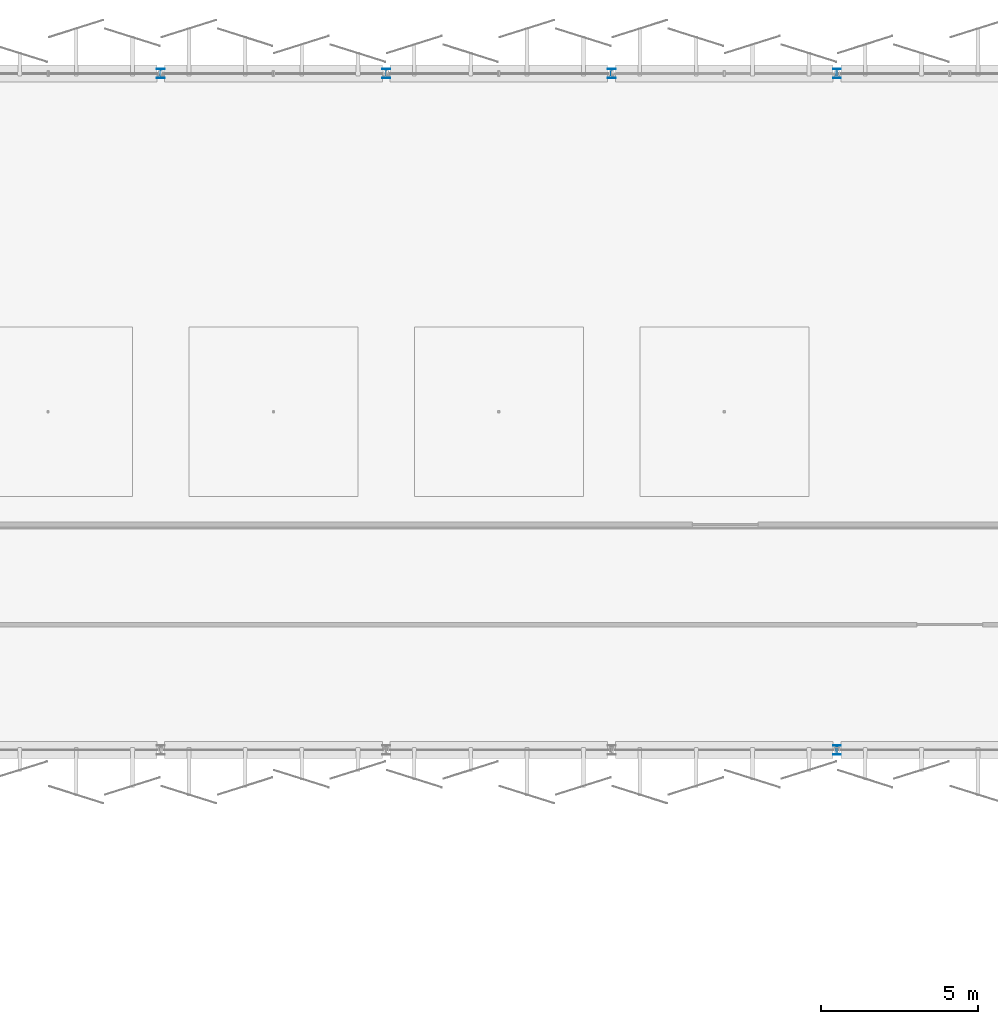
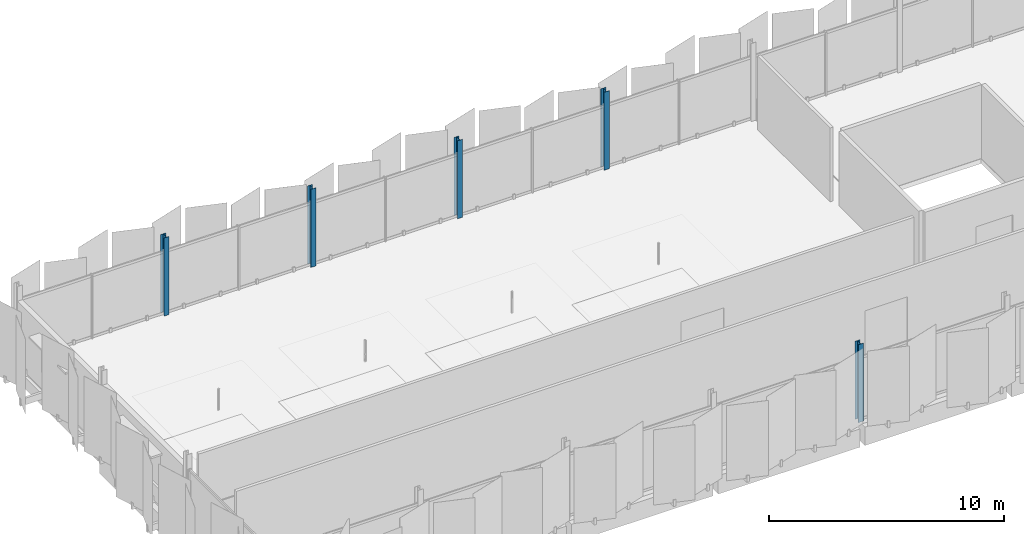
# One storey, part 3 of 77: 5 columns.
"""IFC4 building model written with IfcOpenShell, lengths in metres."""

from ifc_helpers import new_model, si_unit, direction, frame, origin, origin_2d, place, context, subcontext, project, spatial, i_section, extrude, material, material_profile, profile_set, type_object, element, save


model = new_model("IFC4")

# Units and contexts
model_context = context("Model", 3, precision=1e-05, world=origin(), true_north=direction((0.0, 1.0)))
body_context = subcontext(model_context, "Body", "Model", "MODEL_VIEW")
ifc_project = project(units=[si_unit("LENGTHUNIT", "METRE"), si_unit("AREAUNIT", "SQUARE_METRE"), si_unit("VOLUMEUNIT", "CUBIC_METRE"), si_unit("PLANEANGLEUNIT", "RADIAN"), si_unit("MASSUNIT", "GRAM", prefix="KILO")], contexts=[model_context])

# Site, building, storey
site_placement = place(None, origin())
site = spatial("IfcSite", under=ifc_project, at=site_placement, CompositionType="ELEMENT")
building_placement = place(site_placement, origin())
building = spatial("IfcBuilding", under=site, at=building_placement, Name="Kangsadwip Square Police Headquarters", CompositionType="ELEMENT")
storey_placement = place(building_placement, frame((0.0, 0.0, 17.550048828125)))
storey = spatial("IfcBuildingStorey", under=building, at=storey_placement, Name="L04", CompositionType="ELEMENT", Elevation=17.550048828125)

# Columns
ifc_material = material(Name="Structural steel IS 2062 E350 (Grade 350, 350 MPa)", Category="steel")
ifc_material_profile = material_profile(ifc_material, i_section(OverallWidth=0.25, OverallDepth=0.300048828125, WebThickness=0.009521484375, FlangeThickness=0.010498046875, at=origin_2d()), Name="ISHB 300")
ifc_profile_set = profile_set([ifc_material_profile], Name="Structural steel IS 2062 E350 (Grade 350, 350 MPa)")
column_type = type_object("IfcColumnType", Name="SteelColIshb300", PredefinedType="COLUMN", material=ifc_profile_set)
for number, where, z_axis, x_axis, name in (
    (1, (100.800048828125, 115.199951171875, 0.0), (0.0, 0.0, 1.0), (1.0, 0.0, 0.0), "Column COL-L04-14-16"),
    (2, (108.0, 115.199951171875, 0.0), (0.0, 0.0, 1.0), (1.0, 0.0, 0.0), "Column COL-L04-15-16"),
    (3, (115.199951171875, 115.199951171875, 0.0), (0.0, 0.0, 1.0), (1.0, 0.0, 0.0), "Column COL-L04-16-16"),
    (4, (122.39990234375, 93.60009765625, 0.0), (0.0, 0.0, 1.0), (1.0, 0.0, 0.0), "Column COL-L04-17-13"),
    (5, (122.39990234375, 115.199951171875, 0.0), (0.0, 0.0, 1.0), (1.0, 0.0, 0.0), "Column COL-L04-17-16"),
):
    element("IfcColumn", number, at=place(storey_placement, frame(where, z_axis=z_axis, x_axis=x_axis)), inside=storey, type_object=column_type, Name=name, PredefinedType="COLUMN", context=body_context, shape_type="SweptSolid", body=[
        extrude(i_section(OverallWidth=0.25, OverallDepth=0.300048828125, WebThickness=0.009521484375, FlangeThickness=0.010498046875, at=origin_2d()), origin(), (0.0, 0.0, 1.0), 4.050048828125),
    ])

save(model, "model.ifc")
